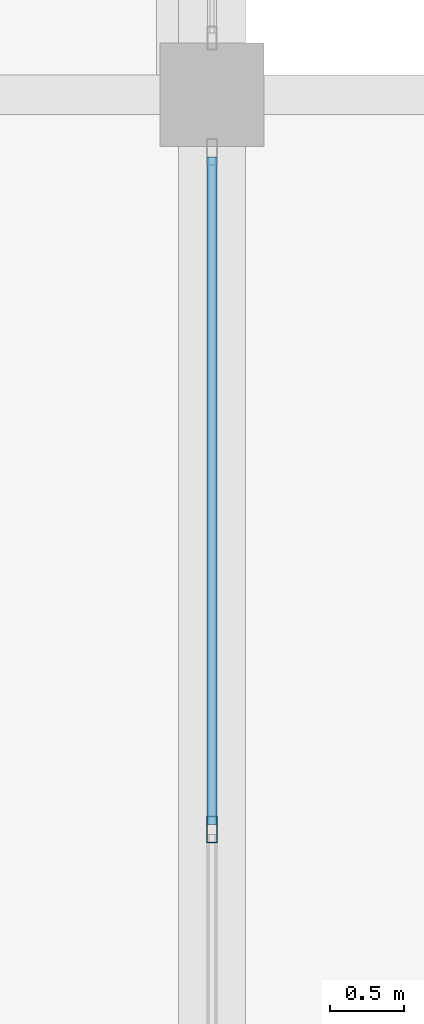
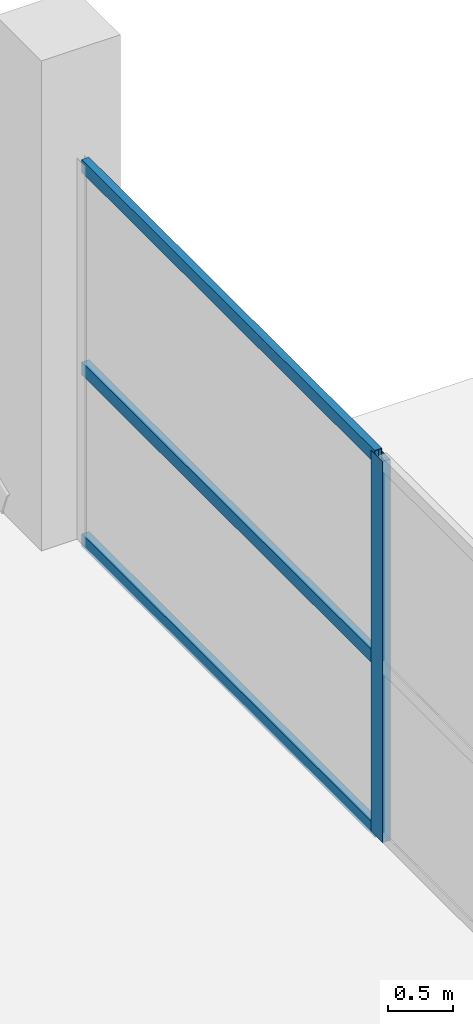
# One storey, part 27 of 58: 4 members, 1 element without a shape of its own.
"""IFC4 building model written with IfcOpenShell, lengths in metres."""

from ifc_helpers import new_model, si_unit, direction, frame, origin, origin_2d, place, context, subcontext, project, spatial, hollow_rectangle, extrude, material, layer, layer_set, material_profile, profile_set, type_object, element, aggregate, save


model = new_model("IFC4")

# Units and contexts
model_context = context("Model", 3, precision=1e-05, world=origin(), true_north=direction((0.0, 1.0)))
body_context = subcontext(model_context, "Body", "Model", "MODEL_VIEW")
ifc_project = project(units=[si_unit("LENGTHUNIT", "METRE"), si_unit("AREAUNIT", "SQUARE_METRE"), si_unit("VOLUMEUNIT", "CUBIC_METRE"), si_unit("PLANEANGLEUNIT", "RADIAN"), si_unit("MASSUNIT", "GRAM", prefix="KILO")], contexts=[model_context])

# Site, building, storey
site_placement = place(None, origin())
site = spatial("IfcSite", under=ifc_project, at=site_placement, CompositionType="ELEMENT")
building_placement = place(site_placement, origin())
building = spatial("IfcBuilding", under=site, at=building_placement, Name="Sillaruma Civic Art Gallery", CompositionType="ELEMENT")
storey_placement = place(building_placement, frame((0.0, 0.0, 28.56005859375)))
storey = spatial("IfcBuildingStorey", under=building, at=storey_placement, Name="L05", CompositionType="ELEMENT", Elevation=28.56005859375)

# Curtain wall, members
ifc_material = material(Name="Thermally Broken Extruded Aluminium 6063-T6", Category="aluminium")
ifc_layer = layer(ifc_material, 0.179931640625, Name="Thermally Broken Extruded Aluminium 6063-T6")
ifc_layer_set = layer_set([ifc_layer], Name="Thermally Broken Extruded Aluminium 6063-T6")
curtain_wall_type = type_object("IfcCurtainWallType", Name="CW-UNI-34", PredefinedType="NOTDEFINED", material=ifc_layer_set)
curtain_wall_placement = place(storey_placement, origin())
curtain_wall = element("IfcCurtainWall", 1, at=curtain_wall_placement, inside=storey, type_object=curtain_wall_type, Name="Unitised Curtain Wall CW-34 (CW-L05-E-5)", PredefinedType="NOTDEFINED")
ifc_material_profile_1 = material_profile(ifc_material, hollow_rectangle(XDim=0.070068359375, YDim=0.179931640625, WallThickness=0.00390625, at=origin_2d()), Name="CWM70x180")
ifc_profile_set_1 = profile_set([ifc_material_profile_1], Name="Thermally Broken Extruded Aluminium 6063-T6")
member_type_1 = type_object("IfcMemberType", Name="MEM-MUL-CWM70x180", PredefinedType="MULLION", material=ifc_profile_set_1)
member_1_placement = place(storey_placement, frame((114.39990234375, 64.35009765625, 0.0), z_axis=(0.0, 0.0, 1.0), x_axis=(-1.0, 0.0, 0.0)))
member_1 = element("IfcMember", 2, at=member_1_placement, type_object=member_type_1, Name="CW-34 mullion 2", PredefinedType="MULLION", context=body_context, shape_type="SweptSolid", body=[
    extrude(hollow_rectangle(XDim=0.070068359375, YDim=0.179931640625, WallThickness=0.00390625, at=origin_2d()), origin(), (0.0, 0.0, 1.0), 3.56982421875),
])
ifc_material_profile_2 = material_profile(ifc_material, hollow_rectangle(XDim=0.06494140625, YDim=0.1201171875, WallThickness=0.00341796875, at=origin_2d()), Name="CWT65x120")
ifc_profile_set_2 = profile_set([ifc_material_profile_2], Name="Thermally Broken Extruded Aluminium 6063-T6")
member_type_2 = type_object("IfcMemberType", Name="MEM-TRN-CWT65x120", PredefinedType="USERDEFINED", material=ifc_profile_set_2)
member_2_placement = place(storey_placement, frame((114.39990234375, 64.385009765625, 0.032470703125), z_axis=(0.0, 1.0, 0.0), x_axis=(-1.0, 0.0, 0.0)))
member_2 = element("IfcMember", 3, at=member_2_placement, type_object=member_type_2, Name="CW-34 transom 2.1", ObjectType="TRANSOM", PredefinedType="USERDEFINED", context=body_context, shape_type="SweptSolid", body=[
    extrude(hollow_rectangle(XDim=0.06494140625, YDim=0.1201171875, WallThickness=0.00341796875, at=origin_2d()), origin(), (0.0, 0.0, 1.0), 4.494873046875),
])
member_3_placement = place(storey_placement, frame((114.39990234375, 64.385009765625, 1.64208984375), z_axis=(0.0, 1.0, 0.0), x_axis=(-1.0, 0.0, 0.0)))
member_3 = element("IfcMember", 4, at=member_3_placement, type_object=member_type_2, Name="CW-34 transom 2.2", ObjectType="TRANSOM", PredefinedType="USERDEFINED", context=body_context, shape_type="SweptSolid", body=[
    extrude(hollow_rectangle(XDim=0.06494140625, YDim=0.1201171875, WallThickness=0.00341796875, at=origin_2d()), origin(), (0.0, 0.0, 1.0), 4.494873046875),
])
member_4_placement = place(storey_placement, frame((114.39990234375, 64.385009765625, 3.537353515625), z_axis=(0.0, 1.0, 0.0), x_axis=(-1.0, 0.0, 0.0)))
member_4 = element("IfcMember", 5, at=member_4_placement, type_object=member_type_2, Name="CW-34 transom 2.3", ObjectType="TRANSOM", PredefinedType="USERDEFINED", context=body_context, shape_type="SweptSolid", body=[
    extrude(hollow_rectangle(XDim=0.06494140625, YDim=0.1201171875, WallThickness=0.00341796875, at=origin_2d()), origin(), (0.0, 0.0, 1.0), 4.494873046875),
])
aggregate(curtain_wall, [member_1, member_2, member_3, member_4])

save(model, "model.ifc")
